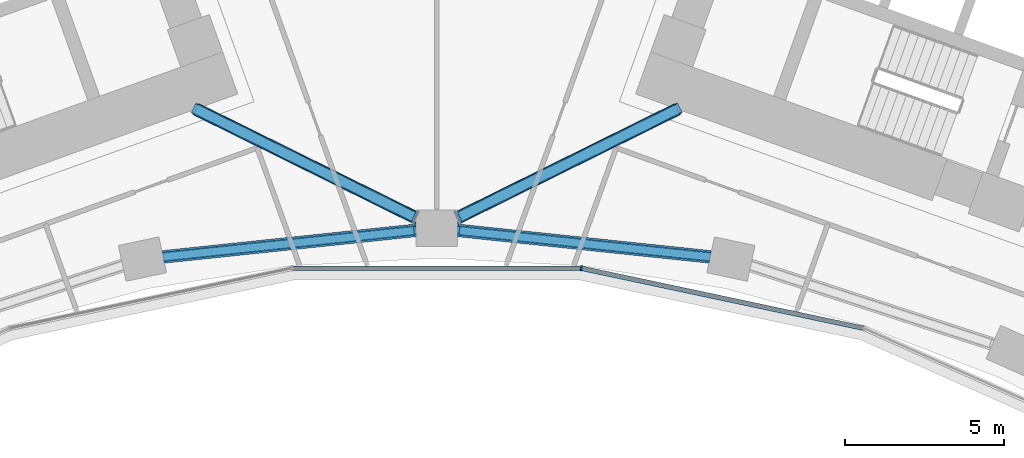
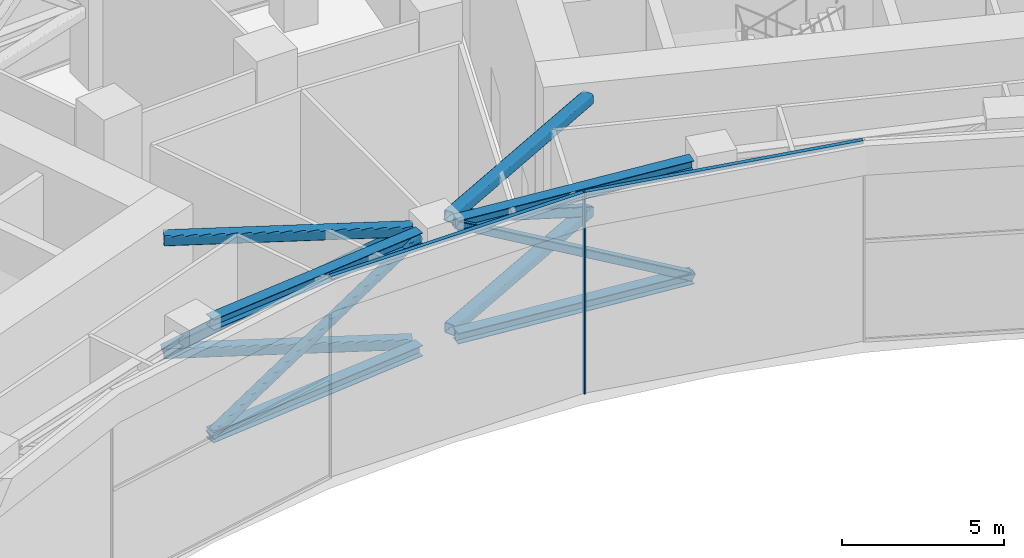
# One storey, part 6 of 30: 15 members, 1 element without a shape of its own.
"""IFC4 building model written with IfcOpenShell, lengths in metres."""

import ifcopenshell
import ifcopenshell.guid

model = None  # the IFC model being written
_history = None  # IfcOwnerHistory: only IFC2X3 demands one
_inside = {}  # id of a spatial element -> (the spatial element, [elements in it])
_under = {}  # id of a project, library or spatial element -> (it, [spatial elements below it])
_declared = {}  # id of a project -> (the project, [libraries it declares])
_typed = {}  # id of a type object -> (the type object, [elements of that type])
_made_of = {}  # id of a material, layer set ... -> (it, [elements and type objects made of it])


def new_model(schema):
    """Start an empty IFC model of exactly this schema.

    Asked for "IFC4X3", IfcOpenShell would pick the latest addendum, in which some entities
    have other attributes; the version numbers below select the first issue.
    IFC2X3 requires an IfcOwnerHistory on every rooted entity: one is made here for all.
    """
    global model, _history
    if schema == "IFC4X3":
        model = ifcopenshell.file(schema_version=(4, 3, 0, 0))
    else:
        model = ifcopenshell.file(schema=schema)
    _inside.clear()
    _under.clear()
    _declared.clear()
    _typed.clear()
    _made_of.clear()
    _history = None
    if model.schema == "IFC2X3":
        org = make("IfcOrganization", Name="unknown")
        user = make(
            "IfcPersonAndOrganization",
            ThePerson=make("IfcPerson", FamilyName="unknown"),
            TheOrganization=org,
        )
        app = make(
            "IfcApplication",
            ApplicationDeveloper=org,
            Version="unknown",
            ApplicationFullName="unknown",
            ApplicationIdentifier="unknown",
        )
        _history = make(
            "IfcOwnerHistory",
            OwningUser=user,
            OwningApplication=app,
            ChangeAction="ADDED",
            CreationDate=0,
        )
    return model


def make(cls, **values):
    """One entity of the class cls with the attributes given. An attribute that is None is left unset."""
    return model.create_entity(
        cls, **{name: value for name, value in values.items() if value is not None}
    )


def rooted(cls, **values):
    """An entity with a GlobalId (a new one), such as an element, a storey or a relation."""
    return make(cls, GlobalId=ifcopenshell.guid.new(), OwnerHistory=_history, **values)


def si_unit(unit_type, name, prefix=None):
    """IfcSIUnit, for example si_unit("LENGTHUNIT", "METRE", prefix="MILLI")."""
    return make("IfcSIUnit", UnitType=unit_type, Prefix=prefix, Name=name)


def assignment(units):
    """IfcUnitAssignment: the units of a project."""
    return None if units is None else make("IfcUnitAssignment", Units=units)


def point(xyz):
    """IfcCartesianPoint."""
    return None if xyz is None else make("IfcCartesianPoint", Coordinates=xyz)


def direction(xyz):
    """IfcDirection."""
    return None if xyz is None else make("IfcDirection", DirectionRatios=xyz)


def frame(location, z_axis=None, x_axis=None):
    """IfcAxis2Placement3D, a coordinate frame: its origin and axes. An axis left out is left unset."""
    return make(
        "IfcAxis2Placement3D",
        Location=point(location),
        Axis=direction(z_axis),
        RefDirection=direction(x_axis),
    )


def frame_2d(location, x_axis=None):
    """IfcAxis2Placement2D, a coordinate frame in the plane: its origin and x axis."""
    return make(
        "IfcAxis2Placement2D", Location=point(location), RefDirection=direction(x_axis)
    )


def origin():
    """The frame at (0, 0, 0) with its axes left unset."""
    return frame((0.0, 0.0, 0.0))


def origin_2d():
    """The frame at (0, 0) in the plane with its x axis left unset."""
    return frame_2d((0.0, 0.0))


def place(relative_to, where):
    """IfcLocalPlacement: puts the frame where relative to a parent placement (None: the world)."""
    return make(
        "IfcLocalPlacement", PlacementRelTo=relative_to, RelativePlacement=where
    )


def context(
    kind, dimensions, precision=None, world=None, true_north=None, identifier=None
):
    """IfcGeometricRepresentationContext, for example the 3D "Model" context."""
    return make(
        "IfcGeometricRepresentationContext",
        ContextIdentifier=identifier,
        ContextType=kind,
        CoordinateSpaceDimension=dimensions,
        Precision=precision,
        WorldCoordinateSystem=world,
        TrueNorth=true_north,
    )


def subcontext(parent, identifier, kind, view, scale=None):
    """IfcGeometricRepresentationSubContext, for example "Body" below "Model"."""
    return make(
        "IfcGeometricRepresentationSubContext",
        ContextIdentifier=identifier,
        ContextType=kind,
        ParentContext=parent,
        TargetScale=scale,
        TargetView=view,
    )


def project(units=None, contexts=None):
    """IfcProject with its units and contexts."""
    return rooted(
        "IfcProject",
        Name="project",
        RepresentationContexts=contexts,
        UnitsInContext=assignment(units),
    )


def spatial(cls, under=None, at=None, **own):
    """A site, building, storey or space (cls), placed at a placement, below another one or the project."""
    s = rooted(cls, ObjectPlacement=at, **own)
    if under is not None:
        _under.setdefault(under.id(), (under, []))[1].append(s)
    return s


def profile(cls, at=None, kind="AREA", **sizes):
    """A parametric profile (cls). Its sizes go by their IFC names, for example OverallWidth=200.0."""
    return make(cls, ProfileType=kind, Position=at, **sizes)


def rectangle(**sizes):
    """IfcRectangleProfileDef."""
    return profile("IfcRectangleProfileDef", **sizes)


def hollow_rectangle(**sizes):
    """IfcRectangleHollowProfileDef."""
    return profile("IfcRectangleHollowProfileDef", **sizes)


def i_section(**sizes):
    """IfcIShapeProfileDef."""
    return profile("IfcIShapeProfileDef", **sizes)


def extrude(swept, where, along, depth):
    """IfcExtrudedAreaSolid: the profile swept, set in the frame where, extruded along a direction by depth."""
    return make(
        "IfcExtrudedAreaSolid",
        SweptArea=swept,
        Position=where,
        ExtrudedDirection=direction(along),
        Depth=depth,
    )


def shape(context_of_items, identifier, shape_type, items):
    """IfcShapeRepresentation: the items that make up one representation, for example the "Body"."""
    return make(
        "IfcShapeRepresentation",
        ContextOfItems=context_of_items,
        RepresentationIdentifier=identifier,
        RepresentationType=shape_type,
        Items=items,
    )


def material(Name=None, Category=None):
    """IfcMaterial."""
    return make("IfcMaterial", Name=Name, Category=Category)


def layer(
    of_material, thickness, ventilated=None, Name=None, Category=None, Priority=None
):
    """IfcMaterialLayer: one layer of a wall or slab, of a material (None: an air gap)."""
    return make(
        "IfcMaterialLayer",
        Material=of_material,
        LayerThickness=thickness,
        IsVentilated=ventilated,
        Name=Name,
        Category=Category,
        Priority=Priority,
    )


def layer_set(layers, Name=None):
    """IfcMaterialLayerSet."""
    return make("IfcMaterialLayerSet", MaterialLayers=layers, LayerSetName=Name)


def material_profile(
    of_material, cross_section, Name=None, Category=None, Priority=None
):
    """IfcMaterialProfile: a cross section and its material."""
    return make(
        "IfcMaterialProfile",
        Name=Name,
        Material=of_material,
        Profile=cross_section,
        Priority=Priority,
        Category=Category,
    )


def profile_set(profiles, Name=None, composite=None):
    """IfcMaterialProfileSet."""
    return make(
        "IfcMaterialProfileSet",
        Name=Name,
        MaterialProfiles=profiles,
        CompositeProfile=composite,
    )


def made_of(thing, what):
    """Note that an element or type object is made of a material, layer set ...; save() writes the relation."""
    if what is not None:
        _made_of.setdefault(what.id(), (what, []))[1].append(thing)
    return thing


def type_object(cls, material=None, **own):
    """A type object (cls), such as IfcWallType, which elements share."""
    return made_of(rooted(cls, **own), material)


def element(
    cls,
    number,
    at=None,
    inside=None,
    cuts=None,
    type_object=None,
    material=None,
    context=None,
    identifier="Body",
    shape_type=None,
    held_by="IfcProductDefinitionShape",
    body=None,
    shapes=None,
    **own,
):
    """One element of the class cls, such as IfcWall. Its Tag is "e" and its number.

    at: its placement. inside: the storey or other place that contains it. cuts: it is an
    opening in that element (IfcRelVoidsElement). A single representation is given by context,
    identifier, shape_type and body (its items); several are given by shapes. held_by: the class
    of the entity that holds the representations. save() writes the other relations.
    """
    e = rooted(cls, Tag="e%d" % number, ObjectPlacement=at, **own)
    if body is not None:
        shapes = [shape(context, identifier, shape_type, body)]
    if shapes is not None:
        e.Representation = make(held_by, Representations=shapes)
    if inside is not None:
        _inside.setdefault(inside.id(), (inside, []))[1].append(e)
    if cuts is not None:
        rooted(
            "IfcRelVoidsElement", RelatingBuildingElement=cuts, RelatedOpeningElement=e
        )
    if type_object is not None:
        _typed.setdefault(type_object.id(), (type_object, []))[1].append(e)
    return made_of(e, material)


def aggregate(whole, parts):
    """IfcRelAggregates: a whole, such as a stair, and the parts it consists of."""
    return rooted("IfcRelAggregates", RelatingObject=whole, RelatedObjects=parts)


def save(model, path):
    """Write the relations noted so far, then the file.

    IfcRelAggregates (storeys below a building ...), IfcRelContainedInSpatialStructure (elements
    in a storey), IfcRelDefinesByType, IfcRelAssociatesMaterial and IfcRelDeclares: one each for
    every whole, place, type object, material and project.
    """
    for whole, parts in _under.values():
        aggregate(whole, parts)
    for where, things in _inside.values():
        rooted(
            "IfcRelContainedInSpatialStructure",
            RelatedElements=things,
            RelatingStructure=where,
        )
    for kind, things in _typed.values():
        rooted("IfcRelDefinesByType", RelatedObjects=things, RelatingType=kind)
    for what, things in _made_of.values():
        rooted("IfcRelAssociatesMaterial", RelatedObjects=things, RelatingMaterial=what)
    for by, libraries in _declared.values():
        rooted("IfcRelDeclares", RelatingContext=by, RelatedDefinitions=libraries)
    model.write(path)


model = new_model("IFC4")

# Units and contexts
model_context = context("Model", 3, precision=1e-05, world=origin(), true_north=direction((0.0, 1.0)))
body_context = subcontext(model_context, "Body", "Model", "MODEL_VIEW")
ifc_project = project(units=[si_unit("LENGTHUNIT", "METRE"), si_unit("AREAUNIT", "SQUARE_METRE"), si_unit("VOLUMEUNIT", "CUBIC_METRE"), si_unit("PLANEANGLEUNIT", "RADIAN"), si_unit("MASSUNIT", "GRAM", prefix="KILO")], contexts=[model_context])

# Site, building, storey
site_placement = place(None, origin())
site = spatial("IfcSite", under=ifc_project, at=site_placement, CompositionType="ELEMENT")
building_placement = place(site_placement, origin())
building = spatial("IfcBuilding", under=site, at=building_placement, Name="Stone Belt Terrace Tower", CompositionType="ELEMENT")
storey_placement = place(building_placement, frame((0.0, 0.0, 136.39990234375)))
storey = spatial("IfcBuildingStorey", under=building, at=storey_placement, Name="L33", CompositionType="ELEMENT", Elevation=136.39990234375)

# Members
ifc_material_1 = material(Name="Structural steel C345", Category="steel")
ifc_material_profile_1 = material_profile(ifc_material_1, i_section(OverallWidth=0.39990234375, OverallDepth=0.39990234375, WebThickness=0.012939453125, FlangeThickness=0.02099609375, at=origin_2d()), Name="I 40K2")
ifc_profile_set_1 = profile_set([ifc_material_profile_1], Name="Structural steel C345")
member_type_1 = type_object("IfcMemberType", Name="Belt chord I 40K2", PredefinedType="CHORD", material=ifc_profile_set_1)
for number, where, z_axis, x_axis, name in (
    (1, (-8.590576171875, 43.5419921875, 7.050048828125), (0.994520354407, 0.104543123496, 0.0), (-0.104543123496, 0.994520354407, 0.0), "Belt truss T2 ring P top chord 4"),
    (2, (-8.590576171875, 43.5419921875, 2.800048828125), (0.994520354407, 0.104543123496, 0.0), (-0.104543123496, 0.994520354407, 0.0), "Belt truss T2 ring P bot chord 4"),
    (3, (0.64990234375, 44.376708984375, 7.050048828125), (0.994520354407, -0.104543123496, 0.0), (0.104543123496, 0.994520354407, 0.0), "Belt truss T2 ring P top chord 5"),
    (4, (0.64990234375, 44.376708984375, 2.800048828125), (0.994520354407, -0.104543123496, 0.0), (0.104543123496, 0.994520354407, 0.0), "Belt truss T2 ring P bot chord 5"),
):
    element("IfcMember", number, at=place(storey_placement, frame(where, z_axis=z_axis, x_axis=x_axis)), inside=storey, type_object=member_type_1, Name=name, PredefinedType="CHORD", context=body_context, shape_type="SweptSolid", body=[
        extrude(i_section(OverallWidth=0.39990234375, OverallDepth=0.39990234375, WebThickness=0.012939453125, FlangeThickness=0.02099609375, at=origin_2d()), origin(), (0.0, 0.0, 1.0), 7.984375),
    ])
ifc_material_profile_2 = material_profile(ifc_material_1, hollow_rectangle(XDim=0.300048828125, YDim=0.300048828125, WallThickness=0.01611328125, InnerFilletRadius=0.031982421875, OuterFilletRadius=0.048095703125, at=origin_2d()), Name="SHS 300x300x16")
ifc_profile_set_2 = profile_set([ifc_material_profile_2], Name="Structural steel C345")
member_type_2 = type_object("IfcMemberType", Name="Belt diagonal SHS 300x300x16", PredefinedType="BRACE", material=ifc_profile_set_2)
for number, where, z_axis, x_axis, name in (
    (5, (-8.590576171875, 43.5419921875, 2.800048828125), (0.877899356166, 0.092284024557, 0.469868470165), (-0.104543123496, 0.994520354407, 0.0), "Belt truss T2 ring P diagonal 4"),
    (6, (0.64990234375, 44.376708984375, 7.050048828125), (0.877899356166, -0.092284024557, -0.469868470165), (0.104543123496, 0.994520354407, 0.0), "Belt truss T2 ring P diagonal 5"),
):
    element("IfcMember", number, at=place(storey_placement, frame(where, z_axis=z_axis, x_axis=x_axis)), inside=storey, type_object=member_type_2, Name=name, PredefinedType="BRACE", context=body_context, shape_type="SweptSolid", body=[
        extrude(hollow_rectangle(XDim=0.300048828125, YDim=0.300048828125, WallThickness=0.01611328125, InnerFilletRadius=0.031982421875, OuterFilletRadius=0.048095703125, at=origin_2d()), origin(), (0.0, 0.0, 1.0), 9.045166015625),
    ])

# Curtain wall, members
ifc_material_2 = material(Name="Aluminium 6063-T6 anodised frame", Category="aluminium")
ifc_layer = layer(ifc_material_2, 0.14990234375)
ifc_layer_set = layer_set([ifc_layer], Name="CW-B unitised concave-face curtain wall")
curtain_wall_type = type_object("IfcCurtainWallType", Name="CW-B unitised concave-face curtain wall", PredefinedType="NOTDEFINED", material=ifc_layer_set)
curtain_wall_placement = place(storey_placement, origin())
curtain_wall = element("IfcCurtainWall", 7, at=curtain_wall_placement, inside=storey, type_object=curtain_wall_type, Name="CW-B concave face L33", PredefinedType="NOTDEFINED")
ifc_material_profile_3 = material_profile(ifc_material_2, rectangle(XDim=0.14990234375, YDim=0.050048828125, at=origin_2d()), Name="Aluminium 6063-T6 50x150")
ifc_profile_set_3 = profile_set([ifc_material_profile_3], Name="Aluminium 6063-T6 anodised frame")
member_type_3 = type_object("IfcMemberType", Name="CW-B mullion 50 x 150", PredefinedType="MULLION", material=ifc_profile_set_3)
member_1_placement = place(storey_placement, frame((4.5390625, 43.186767578125, 0.0), z_axis=(0.0, 0.0, 1.0), x_axis=(0.104528463268, 0.994521895368, 0.0)))
member_1 = element("IfcMember", 8, at=member_1_placement, type_object=member_type_3, Name="CW-B mullion 6", PredefinedType="MULLION", context=body_context, shape_type="SweptSolid", body=[
    extrude(rectangle(XDim=0.14990234375, YDim=0.050048828125, at=origin_2d()), origin(), (0.0, 0.0, 1.0), 7.60009765625),
])
ifc_material_profile_4 = material_profile(ifc_material_2, rectangle(XDim=0.14990234375, YDim=0.1201171875, at=origin_2d()), Name="Aluminium 6063-T6 150x120")
ifc_profile_set_4 = profile_set([ifc_material_profile_4], Name="Aluminium 6063-T6 anodised frame")
member_type_4 = type_object("IfcMemberType", Name="CW-B transom 120 x 150", PredefinedType="USERDEFINED", material=ifc_profile_set_4)
member_2_placement = place(storey_placement, frame((-4.50634765625, 43.186767578125, 7.5400390625), z_axis=(1.0, 0.0, 0.0), x_axis=(0.0, 1.0, 0.0)))
member_2 = element("IfcMember", 9, at=member_2_placement, type_object=member_type_4, Name="CW-B transom 5.1", ObjectType="TRANSOM", PredefinedType="USERDEFINED", context=body_context, shape_type="SweptSolid", body=[
    extrude(rectangle(XDim=0.14990234375, YDim=0.1201171875, at=origin_2d()), origin(), (0.0, 0.0, 1.0), 9.0126953125),
])
member_3_placement = place(storey_placement, frame((4.571044921875, 43.179931640625, 7.5400390625), z_axis=(0.9781499003, -0.207900871914, 0.0), x_axis=(0.207900871914, 0.9781499003, 0.0)))
member_3 = element("IfcMember", 10, at=member_3_placement, type_object=member_type_4, Name="CW-B transom 6.1", ObjectType="TRANSOM", PredefinedType="USERDEFINED", context=body_context, shape_type="SweptSolid", body=[
    extrude(rectangle(XDim=0.14990234375, YDim=0.1201171875, at=origin_2d()), origin(), (0.0, 0.0, 1.0), 9.012939453125),
])
aggregate(curtain_wall, [member_1, member_2, member_3])

# Members
ifc_material_profile_5 = material_profile(ifc_material_1, hollow_rectangle(XDim=0.39990234375, YDim=0.39990234375, WallThickness=0.02001953125, InnerFilletRadius=0.0400390625, OuterFilletRadius=0.06005859375, at=origin_2d()), Name="SHS 400x400x20")
ifc_profile_set_5 = profile_set([ifc_material_profile_5], Name="Structural steel C345")
member_type_5 = type_object("IfcMemberType", Name="Outrigger chord SHS 400x400x20", PredefinedType="CHORD", material=ifc_profile_set_5)
member_4_placement = place(storey_placement, frame((-0.64990234375, 44.766357421875, 7.050048828125), z_axis=(-0.896374775818, 0.443297035041, 0.0), x_axis=(-0.443297035041, -0.896374775818, 0.0)))
element("IfcMember", 11, at=member_4_placement, inside=storey, type_object=member_type_5, Name="Outrigger T2 coreA-mid-P top chord 1", PredefinedType="CHORD", context=body_context, shape_type="SweptSolid", body=[
    extrude(hollow_rectangle(XDim=0.39990234375, YDim=0.39990234375, WallThickness=0.02001953125, InnerFilletRadius=0.0400390625, OuterFilletRadius=0.06005859375, at=origin_2d()), origin(), (0.0, 0.0, 1.0), 7.713134765625),
])
member_5_placement = place(storey_placement, frame((-0.66796875, 44.775390625, 2.800048828125), z_axis=(-0.896379866925, 0.443286740351, 0.0), x_axis=(-0.443286740351, -0.896379866925, 0.0)))
element("IfcMember", 12, at=member_5_placement, inside=storey, type_object=member_type_5, Name="Outrigger T2 coreA-mid-P bot chord 1", PredefinedType="CHORD", context=body_context, shape_type="SweptSolid", body=[
    extrude(hollow_rectangle(XDim=0.39990234375, YDim=0.39990234375, WallThickness=0.02001953125, InnerFilletRadius=0.0400390625, OuterFilletRadius=0.06005859375, at=origin_2d()), origin(), (0.0, 0.0, 1.0), 7.69287109375),
])
member_6_placement = place(storey_placement, frame((0.64990234375, 44.766357421875, 7.050048828125), z_axis=(0.896374775818, 0.443297035041, 0.0), x_axis=(-0.443297035041, 0.896374775818, 0.0)))
element("IfcMember", 13, at=member_6_placement, inside=storey, type_object=member_type_5, Name="Outrigger T2 coreB-mid-P top chord 1", PredefinedType="CHORD", context=body_context, shape_type="SweptSolid", body=[
    extrude(hollow_rectangle(XDim=0.39990234375, YDim=0.39990234375, WallThickness=0.02001953125, InnerFilletRadius=0.0400390625, OuterFilletRadius=0.06005859375, at=origin_2d()), origin(), (0.0, 0.0, 1.0), 7.713134765625),
])
member_7_placement = place(storey_placement, frame((0.66796875, 44.775390625, 2.800048828125), z_axis=(0.896379866925, 0.443286740351, 0.0), x_axis=(-0.443286740351, 0.896379866925, 0.0)))
element("IfcMember", 14, at=member_7_placement, inside=storey, type_object=member_type_5, Name="Outrigger T2 coreB-mid-P bot chord 1", PredefinedType="CHORD", context=body_context, shape_type="SweptSolid", body=[
    extrude(hollow_rectangle(XDim=0.39990234375, YDim=0.39990234375, WallThickness=0.02001953125, InnerFilletRadius=0.0400390625, OuterFilletRadius=0.06005859375, at=origin_2d()), origin(), (0.0, 0.0, 1.0), 7.69287109375),
])
ifc_material_profile_6 = material_profile(ifc_material_1, hollow_rectangle(XDim=0.35009765625, YDim=0.35009765625, WallThickness=0.01611328125, InnerFilletRadius=0.031982421875, OuterFilletRadius=0.048095703125, at=origin_2d()), Name="SHS 350x350x16")
ifc_profile_set_6 = profile_set([ifc_material_profile_6], Name="Structural steel C345")
member_type_6 = type_object("IfcMemberType", Name="Outrigger diagonal SHS 350x350x16", PredefinedType="BRACE", material=ifc_profile_set_6)
for number, where, z_axis, x_axis, name in (
    (15, (-0.64990234375, 44.766357421875, 7.050048828125), (-0.785082307137, 0.388257979147, -0.482598707675), (-0.443297035041, -0.896374775818, 0.0), "Outrigger T2 coreA-mid-P diagonal 1"),
    (16, (0.64990234375, 44.766357421875, 7.050048828125), (0.785082307137, 0.388257979147, -0.482598707675), (-0.443297035041, 0.896374775818, 0.0), "Outrigger T2 coreB-mid-P diagonal 1"),
):
    element("IfcMember", number, at=place(storey_placement, frame(where, z_axis=z_axis, x_axis=x_axis)), inside=storey, type_object=member_type_6, Name=name, PredefinedType="BRACE", context=body_context, shape_type="SweptSolid", body=[
        extrude(hollow_rectangle(XDim=0.35009765625, YDim=0.35009765625, WallThickness=0.01611328125, InnerFilletRadius=0.031982421875, OuterFilletRadius=0.048095703125, at=origin_2d()), origin(), (0.0, 0.0, 1.0), 8.806396484375),
    ])

save(model, "model.ifc")
